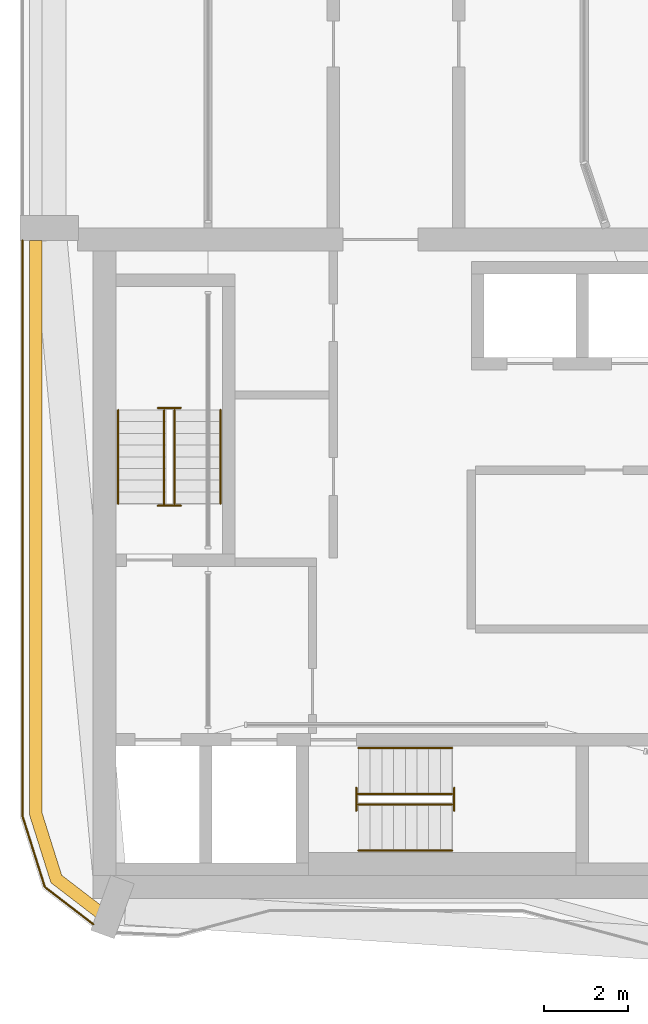
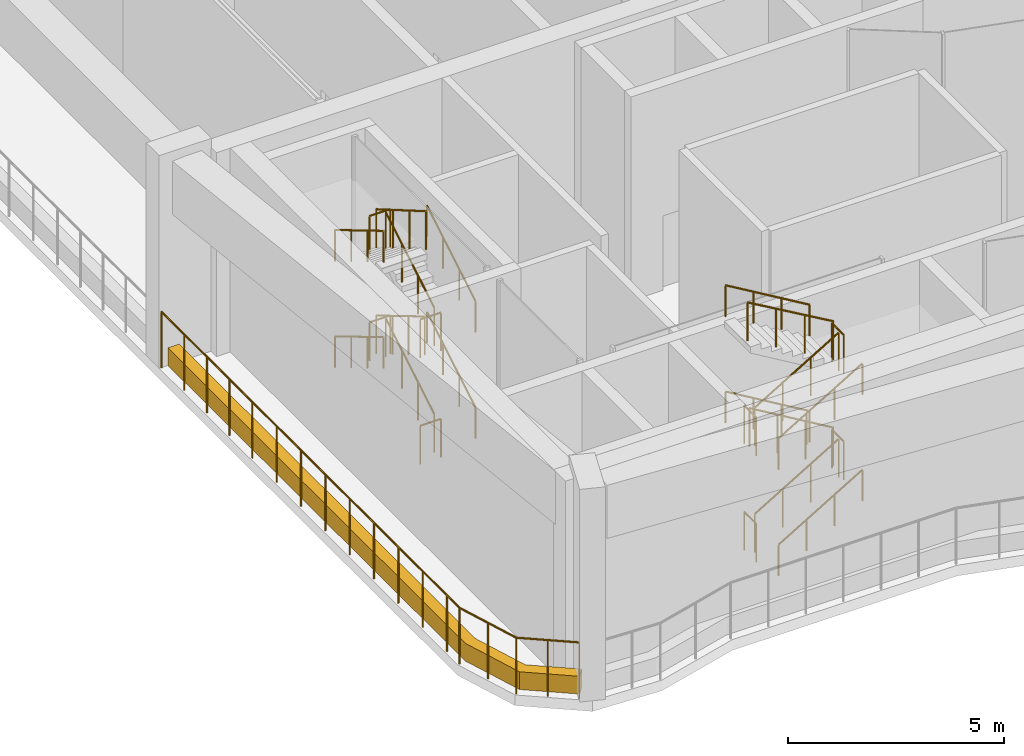
# One storey, part 14 of 17: 25 railings, 1 covering.
"""IFC4 building model written with IfcOpenShell, lengths in metres."""

from ifc_helpers import new_model, si_unit, direction, frame, origin, origin_2d, place, context, subcontext, project, spatial, polyline, circle, outline, extrude, material, type_object, element, save


model = new_model("IFC4")

# Units and contexts
model_context = context("Model", 3, precision=1e-05, world=origin(), true_north=direction((0.0, 1.0)))
body_context = subcontext(model_context, "Body", "Model", "MODEL_VIEW")
ifc_project = project(units=[si_unit("LENGTHUNIT", "METRE"), si_unit("AREAUNIT", "SQUARE_METRE"), si_unit("VOLUMEUNIT", "CUBIC_METRE"), si_unit("PLANEANGLEUNIT", "RADIAN"), si_unit("MASSUNIT", "GRAM", prefix="KILO")], contexts=[model_context])

# Site, building, storey
site_placement = place(None, origin())
site = spatial("IfcSite", under=ifc_project, at=site_placement, CompositionType="ELEMENT")
building_placement = place(site_placement, origin())
building = spatial("IfcBuilding", under=site, at=building_placement, Name="Plateau Cross Towers", CompositionType="ELEMENT")
storey_placement = place(building_placement, frame((0.0, 0.0, 184.89990234375)))
storey = spatial("IfcBuildingStorey", under=building, at=storey_placement, Name="L48", CompositionType="ELEMENT", Elevation=184.89990234375)

# Railings
ifc_material_1 = material(Name="Stainless steel and toughened glass", Category="steel")
railing_type_1 = type_object("IfcRailingType", Name="Glass balustrade guard 1600", PredefinedType="GUARDRAIL", material=ifc_material_1)
railing_1_placement = place(storey_placement, frame((0.06005859375, 17.699951171875, 0.0)))
element("IfcRailing", 1, at=railing_1_placement, inside=storey, type_object=railing_type_1, Name="Guard A0_180", PredefinedType="GUARDRAIL", context=body_context, shape_type="SweptSolid", body=[
    extrude(circle(Radius=0.02392578125, at=origin_2d()), frame((0.0, 0.0, 1.576171875), z_axis=(0.0, -1.0, 0.0), x_axis=(1.0, 0.0, 0.0)), (0.0, 0.0, 1.0), 13.781494140625),
    extrude(circle(Radius=0.02392578125, at=origin_2d()), frame((0.0, -13.781494140625, 1.576171875), z_axis=(0.300637904714, -0.953738355237, 0.0), x_axis=(0.953738355237, 0.300637904714, 0.0)), (0.0, 0.0, 1.0), 1.776123046875),
    extrude(circle(Radius=0.02392578125, at=origin_2d()), frame((0.533935546875, -15.475341796875, 1.576171875), z_axis=(0.793378517032, -0.608728616636, 0.0), x_axis=(0.608728616636, 0.793378517032, 0.0)), (0.0, 0.0, 1.0), 1.46630859375),
    extrude(circle(Radius=0.02099609375, at=origin_2d()), origin(), (0.0, 0.0, 1.0), 1.552001953125),
    extrude(circle(Radius=0.02099609375, at=origin_2d()), frame((0.0, -1.050048828125, 0.0)), (0.0, 0.0, 1.0), 1.552001953125),
    extrude(circle(Radius=0.02099609375, at=origin_2d()), frame((0.0, -2.10009765625, 0.0)), (0.0, 0.0, 1.0), 1.552001953125),
    extrude(circle(Radius=0.02099609375, at=origin_2d()), frame((0.0, -3.14990234375, 0.0)), (0.0, 0.0, 1.0), 1.552001953125),
    extrude(circle(Radius=0.02099609375, at=origin_2d()), frame((0.0, -4.199951171875, 0.0)), (0.0, 0.0, 1.0), 1.552001953125),
    extrude(circle(Radius=0.02099609375, at=origin_2d()), frame((0.0, -5.324951171875, 0.0)), (0.0, 0.0, 1.0), 1.552001953125),
    extrude(circle(Radius=0.02099609375, at=origin_2d()), frame((0.0, -6.449951171875, 0.0)), (0.0, 0.0, 1.0), 1.552001953125),
    extrude(circle(Radius=0.02099609375, at=origin_2d()), frame((0.0, -7.574951171875, 0.0)), (0.0, 0.0, 1.0), 1.552001953125),
    extrude(circle(Radius=0.02099609375, at=origin_2d()), frame((0.0, -8.699951171875, 0.0)), (0.0, 0.0, 1.0), 1.552001953125),
    extrude(circle(Radius=0.02099609375, at=origin_2d()), frame((0.0, -9.824951171875, 0.0)), (0.0, 0.0, 1.0), 1.552001953125),
    extrude(circle(Radius=0.02099609375, at=origin_2d()), frame((0.0, -10.949951171875, 0.0)), (0.0, 0.0, 1.0), 1.552001953125),
    extrude(circle(Radius=0.02099609375, at=origin_2d()), frame((0.0, -12.074951171875, 0.0)), (0.0, 0.0, 1.0), 1.552001953125),
    extrude(circle(Radius=0.02099609375, at=origin_2d()), frame((0.0, -13.199951171875, 0.0)), (0.0, 0.0, 1.0), 1.552001953125),
    extrude(circle(Radius=0.02099609375, at=origin_2d()), frame((0.0, -13.781494140625, 0.0)), (0.0, 0.0, 1.0), 1.552001953125),
    extrude(circle(Radius=0.02099609375, at=origin_2d()), frame((0.26708984375, -14.62841796875, 0.0)), (0.0, 0.0, 1.0), 1.552001953125),
    extrude(circle(Radius=0.02099609375, at=origin_2d()), frame((0.533935546875, -15.475341796875, 0.0)), (0.0, 0.0, 1.0), 1.552001953125),
    extrude(circle(Radius=0.02099609375, at=origin_2d()), frame((1.11572265625, -15.921630859375, 0.0)), (0.0, 0.0, 1.0), 1.552001953125),
    extrude(circle(Radius=0.02099609375, at=origin_2d()), frame((1.697265625, -16.367919921875, 0.0)), (0.0, 0.0, 1.0), 1.552001953125),
])
railing_type_2 = type_object("IfcRailingType", Name="RL-GUARD-1100", PredefinedType="GUARDRAIL", material=ifc_material_1)
railing_2_placement = place(storey_placement, frame((3.699951171875, 11.39990234375, 0.166748046875)))
element("IfcRailing", 2, at=railing_2_placement, inside=storey, type_object=railing_type_2, Name="L48 ST-1 stair guard 1", PredefinedType="GUARDRAIL", context=body_context, shape_type="SweptSolid", body=[
    extrude(circle(Radius=0.02392578125, at=origin_2d()), frame((0.0, 0.0, 1.076171875), z_axis=(0.0, 0.859305625298, 0.511462454469), x_axis=(-1.0, 0.0, 0.0)), (0.0, 0.0, 1.0), 2.606689453125),
    extrude(circle(Radius=0.02099609375, at=origin_2d()), origin(), (0.0, 0.0, 1.0), 1.052001953125),
    extrude(circle(Radius=0.02099609375, at=origin_2d()), frame((0.0, 0.74658203125, 0.4443359375)), (0.0, 0.0, 1.0), 1.052001953125),
    extrude(circle(Radius=0.02099609375, at=origin_2d()), frame((0.0, 1.493408203125, 0.888916015625)), (0.0, 0.0, 1.0), 1.052001953125),
    extrude(circle(Radius=0.02099609375, at=origin_2d()), frame((0.0, 2.239990234375, 1.333251953125)), (0.0, 0.0, 1.0), 1.052001953125),
])
railing_3_placement = place(storey_placement, frame((3.85009765625, 13.68994140625, 1.5)))
element("IfcRailing", 3, at=railing_3_placement, inside=storey, type_object=railing_type_2, Name="L48 ST-1 stair guard 2", PredefinedType="GUARDRAIL", context=body_context, shape_type="SweptSolid", body=[
    extrude(circle(Radius=0.02392578125, at=origin_2d()), frame((0.0, 0.0, 1.076171875), z_axis=(-1.0, 0.0, 0.0), x_axis=(0.0, -1.0, 0.0)), (0.0, 0.0, 1.0), 0.550048828125),
    extrude(circle(Radius=0.02099609375, at=origin_2d()), origin(), (0.0, 0.0, 1.0), 1.052001953125),
    extrude(circle(Radius=0.02099609375, at=origin_2d()), frame((-0.550048828125, 0.0, 0.0)), (0.0, 0.0, 1.0), 1.052001953125),
])
railing_4_placement = place(storey_placement, frame((3.449951171875, 13.639892578125, 1.666748046875)))
element("IfcRailing", 4, at=railing_4_placement, inside=storey, type_object=railing_type_2, Name="L48 ST-1 stair guard 3", PredefinedType="GUARDRAIL", context=body_context, shape_type="SweptSolid", body=[
    extrude(circle(Radius=0.02392578125, at=origin_2d()), frame((0.0, 0.0, 1.076171875), z_axis=(0.0, -0.859305625298, 0.511462454469), x_axis=(1.0, 0.0, 0.0)), (0.0, 0.0, 1.0), 2.606689453125),
    extrude(circle(Radius=0.02099609375, at=origin_2d()), origin(), (0.0, 0.0, 1.0), 1.052001953125),
    extrude(circle(Radius=0.02099609375, at=origin_2d()), frame((0.0, -0.74658203125, 0.4443359375)), (0.0, 0.0, 1.0), 1.052001953125),
    extrude(circle(Radius=0.02099609375, at=origin_2d()), frame((0.0, -1.493408203125, 0.888916015625)), (0.0, 0.0, 1.0), 1.052001953125),
    extrude(circle(Radius=0.02099609375, at=origin_2d()), frame((0.0, -2.239990234375, 1.333251953125)), (0.0, 0.0, 1.0), 1.052001953125),
])
railing_5_placement = place(storey_placement, frame((3.85009765625, 11.35009765625, 3.0)))
element("IfcRailing", 5, at=railing_5_placement, inside=storey, type_object=railing_type_2, Name="L48 ST-1 stair guard 4", PredefinedType="GUARDRAIL", context=body_context, shape_type="SweptSolid", body=[
    extrude(circle(Radius=0.02392578125, at=origin_2d()), frame((0.0, 0.0, 1.076171875), z_axis=(-1.0, 0.0, 0.0), x_axis=(0.0, -1.0, 0.0)), (0.0, 0.0, 1.0), 0.550048828125),
    extrude(circle(Radius=0.02099609375, at=origin_2d()), origin(), (0.0, 0.0, 1.0), 1.052001953125),
    extrude(circle(Radius=0.02099609375, at=origin_2d()), frame((-0.550048828125, 0.0, 0.0)), (0.0, 0.0, 1.0), 1.052001953125),
])
railing_6_placement = place(storey_placement, frame((3.699951171875, 11.39990234375, 3.166748046875)))
element("IfcRailing", 6, at=railing_6_placement, inside=storey, type_object=railing_type_2, Name="L48 ST-1 stair guard 5", PredefinedType="GUARDRAIL", context=body_context, shape_type="SweptSolid", body=[
    extrude(circle(Radius=0.02392578125, at=origin_2d()), frame((0.0, 0.0, 1.076171875), z_axis=(0.0, 0.859305625298, 0.511462454469), x_axis=(-1.0, 0.0, 0.0)), (0.0, 0.0, 1.0), 2.606689453125),
    extrude(circle(Radius=0.02099609375, at=origin_2d()), origin(), (0.0, 0.0, 1.0), 1.052001953125),
    extrude(circle(Radius=0.02099609375, at=origin_2d()), frame((0.0, 0.74658203125, 0.4443359375)), (0.0, 0.0, 1.0), 1.052001953125),
    extrude(circle(Radius=0.02099609375, at=origin_2d()), frame((0.0, 1.493408203125, 0.888916015625)), (0.0, 0.0, 1.0), 1.052001953125),
    extrude(circle(Radius=0.02099609375, at=origin_2d()), frame((0.0, 2.239990234375, 1.333251953125)), (0.0, 0.0, 1.0), 1.052001953125),
])
railing_7_placement = place(storey_placement, frame((3.85009765625, 13.68994140625, 4.5)))
element("IfcRailing", 7, at=railing_7_placement, inside=storey, type_object=railing_type_2, Name="L48 ST-1 stair guard 6", PredefinedType="GUARDRAIL", context=body_context, shape_type="SweptSolid", body=[
    extrude(circle(Radius=0.02392578125, at=origin_2d()), frame((0.0, 0.0, 1.076171875), z_axis=(-1.0, 0.0, 0.0), x_axis=(0.0, -1.0, 0.0)), (0.0, 0.0, 1.0), 0.550048828125),
    extrude(circle(Radius=0.02099609375, at=origin_2d()), origin(), (0.0, 0.0, 1.0), 1.052001953125),
    extrude(circle(Radius=0.02099609375, at=origin_2d()), frame((-0.550048828125, 0.0, 0.0)), (0.0, 0.0, 1.0), 1.052001953125),
])
railing_8_placement = place(storey_placement, frame((3.449951171875, 13.639892578125, 4.666748046875)))
element("IfcRailing", 8, at=railing_8_placement, inside=storey, type_object=railing_type_2, Name="L48 ST-1 stair guard 7", PredefinedType="GUARDRAIL", context=body_context, shape_type="SweptSolid", body=[
    extrude(circle(Radius=0.02392578125, at=origin_2d()), frame((0.0, 0.0, 1.076171875), z_axis=(0.0, -0.864182989347, 0.503177663378), x_axis=(1.0, 0.0, 0.0)), (0.0, 0.0, 1.0), 2.649658203125),
    extrude(circle(Radius=0.02099609375, at=origin_2d()), origin(), (0.0, 0.0, 1.0), 1.052001953125),
    extrude(circle(Radius=0.02099609375, at=origin_2d()), frame((0.0, -0.76318359375, 0.4443359375)), (0.0, 0.0, 1.0), 1.052001953125),
    extrude(circle(Radius=0.02099609375, at=origin_2d()), frame((0.0, -1.526611328125, 0.888916015625)), (0.0, 0.0, 1.0), 1.052001953125),
    extrude(circle(Radius=0.02099609375, at=origin_2d()), frame((0.0, -2.289794921875, 1.333251953125)), (0.0, 0.0, 1.0), 1.052001953125),
])
railing_9_placement = place(storey_placement, frame((3.85009765625, 11.35009765625, 0.0)))
element("IfcRailing", 9, at=railing_9_placement, inside=storey, type_object=railing_type_2, Name="L48 ST-1 stair guard 8", PredefinedType="GUARDRAIL", context=body_context, shape_type="SweptSolid", body=[
    extrude(circle(Radius=0.02392578125, at=origin_2d()), frame((0.0, 0.0, 1.076171875), z_axis=(-1.0, 0.0, 0.0), x_axis=(0.0, -1.0, 0.0)), (0.0, 0.0, 1.0), 0.550048828125),
    extrude(circle(Radius=0.02099609375, at=origin_2d()), origin(), (0.0, 0.0, 1.0), 1.052001953125),
    extrude(circle(Radius=0.02099609375, at=origin_2d()), frame((-0.550048828125, 0.0, 0.0)), (0.0, 0.0, 1.0), 1.052001953125),
])
railing_10_placement = place(storey_placement, frame((8.10009765625, 4.199951171875, 0.166748046875)))
element("IfcRailing", 10, at=railing_10_placement, inside=storey, type_object=railing_type_2, Name="L48 ST-2 stair guard 1", PredefinedType="GUARDRAIL", context=body_context, shape_type="SweptSolid", body=[
    extrude(circle(Radius=0.02392578125, at=origin_2d()), frame((0.0, 0.0, 1.076171875), z_axis=(0.859305625298, 0.0, 0.511462454469), x_axis=(0.0, 1.0, 0.0)), (0.0, 0.0, 1.0), 2.606689453125),
    extrude(circle(Radius=0.02099609375, at=origin_2d()), origin(), (0.0, 0.0, 1.0), 1.052001953125),
    extrude(circle(Radius=0.02099609375, at=origin_2d()), frame((0.74658203125, 0.0, 0.4443359375)), (0.0, 0.0, 1.0), 1.052001953125),
    extrude(circle(Radius=0.02099609375, at=origin_2d()), frame((1.493408203125, 0.0, 0.888916015625)), (0.0, 0.0, 1.0), 1.052001953125),
    extrude(circle(Radius=0.02099609375, at=origin_2d()), frame((2.239990234375, 0.0, 1.333251953125)), (0.0, 0.0, 1.0), 1.052001953125),
])
railing_11_placement = place(storey_placement, frame((10.389892578125, 4.050048828125, 1.5)))
element("IfcRailing", 11, at=railing_11_placement, inside=storey, type_object=railing_type_2, Name="L48 ST-2 stair guard 2", PredefinedType="GUARDRAIL", context=body_context, shape_type="SweptSolid", body=[
    extrude(circle(Radius=0.02392578125, at=origin_2d()), frame((0.0, 0.0, 1.076171875), z_axis=(0.0, 1.0, 0.0), x_axis=(-1.0, 0.0, 0.0)), (0.0, 0.0, 1.0), 0.550048828125),
    extrude(circle(Radius=0.02099609375, at=origin_2d()), origin(), (0.0, 0.0, 1.0), 1.052001953125),
    extrude(circle(Radius=0.02099609375, at=origin_2d()), frame((0.0, 0.550048828125, 0.0)), (0.0, 0.0, 1.0), 1.052001953125),
])
railing_12_placement = place(storey_placement, frame((10.340087890625, 4.449951171875, 1.666748046875)))
element("IfcRailing", 12, at=railing_12_placement, inside=storey, type_object=railing_type_2, Name="L48 ST-2 stair guard 3", PredefinedType="GUARDRAIL", context=body_context, shape_type="SweptSolid", body=[
    extrude(circle(Radius=0.02392578125, at=origin_2d()), frame((0.0, 0.0, 1.076171875), z_axis=(-0.859305625298, 0.0, 0.511462454469), x_axis=(0.0, -1.0, 0.0)), (0.0, 0.0, 1.0), 2.606689453125),
    extrude(circle(Radius=0.02099609375, at=origin_2d()), origin(), (0.0, 0.0, 1.0), 1.052001953125),
    extrude(circle(Radius=0.02099609375, at=origin_2d()), frame((-0.74658203125, 0.0, 0.4443359375)), (0.0, 0.0, 1.0), 1.052001953125),
    extrude(circle(Radius=0.02099609375, at=origin_2d()), frame((-1.493408203125, 0.0, 0.888916015625)), (0.0, 0.0, 1.0), 1.052001953125),
    extrude(circle(Radius=0.02099609375, at=origin_2d()), frame((-2.239990234375, 0.0, 1.333251953125)), (0.0, 0.0, 1.0), 1.052001953125),
])
railing_13_placement = place(storey_placement, frame((8.050048828125, 4.050048828125, 3.0)))
element("IfcRailing", 13, at=railing_13_placement, inside=storey, type_object=railing_type_2, Name="L48 ST-2 stair guard 4", PredefinedType="GUARDRAIL", context=body_context, shape_type="SweptSolid", body=[
    extrude(circle(Radius=0.02392578125, at=origin_2d()), frame((0.0, 0.0, 1.076171875), z_axis=(0.0, 1.0, 0.0), x_axis=(-1.0, 0.0, 0.0)), (0.0, 0.0, 1.0), 0.550048828125),
    extrude(circle(Radius=0.02099609375, at=origin_2d()), origin(), (0.0, 0.0, 1.0), 1.052001953125),
    extrude(circle(Radius=0.02099609375, at=origin_2d()), frame((0.0, 0.550048828125, 0.0)), (0.0, 0.0, 1.0), 1.052001953125),
])
railing_14_placement = place(storey_placement, frame((8.10009765625, 4.199951171875, 3.166748046875)))
element("IfcRailing", 14, at=railing_14_placement, inside=storey, type_object=railing_type_2, Name="L48 ST-2 stair guard 5", PredefinedType="GUARDRAIL", context=body_context, shape_type="SweptSolid", body=[
    extrude(circle(Radius=0.02392578125, at=origin_2d()), frame((0.0, 0.0, 1.076171875), z_axis=(0.859305625298, 0.0, 0.511462454469), x_axis=(0.0, 1.0, 0.0)), (0.0, 0.0, 1.0), 2.606689453125),
    extrude(circle(Radius=0.02099609375, at=origin_2d()), origin(), (0.0, 0.0, 1.0), 1.052001953125),
    extrude(circle(Radius=0.02099609375, at=origin_2d()), frame((0.74658203125, 0.0, 0.4443359375)), (0.0, 0.0, 1.0), 1.052001953125),
    extrude(circle(Radius=0.02099609375, at=origin_2d()), frame((1.493408203125, 0.0, 0.888916015625)), (0.0, 0.0, 1.0), 1.052001953125),
    extrude(circle(Radius=0.02099609375, at=origin_2d()), frame((2.239990234375, 0.0, 1.333251953125)), (0.0, 0.0, 1.0), 1.052001953125),
])
railing_15_placement = place(storey_placement, frame((10.389892578125, 4.050048828125, 4.5)))
element("IfcRailing", 15, at=railing_15_placement, inside=storey, type_object=railing_type_2, Name="L48 ST-2 stair guard 6", PredefinedType="GUARDRAIL", context=body_context, shape_type="SweptSolid", body=[
    extrude(circle(Radius=0.02392578125, at=origin_2d()), frame((0.0, 0.0, 1.076171875), z_axis=(0.0, 1.0, 0.0), x_axis=(-1.0, 0.0, 0.0)), (0.0, 0.0, 1.0), 0.550048828125),
    extrude(circle(Radius=0.02099609375, at=origin_2d()), origin(), (0.0, 0.0, 1.0), 1.052001953125),
    extrude(circle(Radius=0.02099609375, at=origin_2d()), frame((0.0, 0.550048828125, 0.0)), (0.0, 0.0, 1.0), 1.052001953125),
])
railing_16_placement = place(storey_placement, frame((10.340087890625, 4.449951171875, 4.666748046875)))
element("IfcRailing", 16, at=railing_16_placement, inside=storey, type_object=railing_type_2, Name="L48 ST-2 stair guard 7", PredefinedType="GUARDRAIL", context=body_context, shape_type="SweptSolid", body=[
    extrude(circle(Radius=0.02392578125, at=origin_2d()), frame((0.0, 0.0, 1.076171875), z_axis=(-0.864206315334, 0.0, 0.503137600004), x_axis=(0.0, -1.0, 0.0)), (0.0, 0.0, 1.0), 2.64990234375),
    extrude(circle(Radius=0.02099609375, at=origin_2d()), origin(), (0.0, 0.0, 1.0), 1.052001953125),
    extrude(circle(Radius=0.02099609375, at=origin_2d()), frame((-0.763427734375, 0.0, 0.4443359375)), (0.0, 0.0, 1.0), 1.052001953125),
    extrude(circle(Radius=0.02099609375, at=origin_2d()), frame((-1.526611328125, 0.0, 0.888916015625)), (0.0, 0.0, 1.0), 1.052001953125),
    extrude(circle(Radius=0.02099609375, at=origin_2d()), frame((-2.2900390625, 0.0, 1.333251953125)), (0.0, 0.0, 1.0), 1.052001953125),
])
railing_17_placement = place(storey_placement, frame((8.050048828125, 4.050048828125, 0.0)))
element("IfcRailing", 17, at=railing_17_placement, inside=storey, type_object=railing_type_2, Name="L48 ST-2 stair guard 8", PredefinedType="GUARDRAIL", context=body_context, shape_type="SweptSolid", body=[
    extrude(circle(Radius=0.02392578125, at=origin_2d()), frame((0.0, 0.0, 1.076171875), z_axis=(0.0, 1.0, 0.0), x_axis=(-1.0, 0.0, 0.0)), (0.0, 0.0, 1.0), 0.550048828125),
    extrude(circle(Radius=0.02099609375, at=origin_2d()), origin(), (0.0, 0.0, 1.0), 1.052001953125),
    extrude(circle(Radius=0.02099609375, at=origin_2d()), frame((0.0, 0.550048828125, 0.0)), (0.0, 0.0, 1.0), 1.052001953125),
])
ifc_material_2 = material(Name="Black anodised aluminium", Category="aluminium")
railing_type_3 = type_object("IfcRailingType", Name="RL-HANDRAIL-900", PredefinedType="HANDRAIL", material=ifc_material_2)
railing_18_placement = place(storey_placement, frame((4.800048828125, 11.39990234375, 0.166748046875)))
element("IfcRailing", 18, at=railing_18_placement, inside=storey, type_object=railing_type_3, Name="L48 ST-1 stair handrail 1", PredefinedType="HANDRAIL", context=body_context, shape_type="SweptSolid", body=[
    extrude(circle(Radius=0.02392578125, at=origin_2d()), frame((0.0, 0.0, 0.8759765625), z_axis=(0.0, 0.859305625298, 0.511462454469), x_axis=(-1.0, 0.0, 0.0)), (0.0, 0.0, 1.0), 2.606689453125),
    extrude(circle(Radius=0.02099609375, at=origin_2d()), origin(), (0.0, 0.0, 1.0), 0.851806640625),
    extrude(circle(Radius=0.02099609375, at=origin_2d()), frame((0.0, 0.74658203125, 0.4443359375)), (0.0, 0.0, 1.0), 0.851806640625),
    extrude(circle(Radius=0.02099609375, at=origin_2d()), frame((0.0, 1.493408203125, 0.888916015625)), (0.0, 0.0, 1.0), 0.851806640625),
    extrude(circle(Radius=0.02099609375, at=origin_2d()), frame((0.0, 2.239990234375, 1.333251953125)), (0.0, 0.0, 1.0), 0.851806640625),
])
railing_19_placement = place(storey_placement, frame((2.35009765625, 13.639892578125, 1.666748046875)))
element("IfcRailing", 19, at=railing_19_placement, inside=storey, type_object=railing_type_3, Name="L48 ST-1 stair handrail 2", PredefinedType="HANDRAIL", context=body_context, shape_type="SweptSolid", body=[
    extrude(circle(Radius=0.02392578125, at=origin_2d()), frame((0.0, 0.0, 0.8759765625), z_axis=(0.0, -0.859305625298, 0.511462454469), x_axis=(1.0, 0.0, 0.0)), (0.0, 0.0, 1.0), 2.606689453125),
    extrude(circle(Radius=0.02099609375, at=origin_2d()), origin(), (0.0, 0.0, 1.0), 0.851806640625),
    extrude(circle(Radius=0.02099609375, at=origin_2d()), frame((0.0, -0.74658203125, 0.4443359375)), (0.0, 0.0, 1.0), 0.851806640625),
    extrude(circle(Radius=0.02099609375, at=origin_2d()), frame((0.0, -1.493408203125, 0.888916015625)), (0.0, 0.0, 1.0), 0.851806640625),
    extrude(circle(Radius=0.02099609375, at=origin_2d()), frame((0.0, -2.239990234375, 1.333251953125)), (0.0, 0.0, 1.0), 0.851806640625),
])
railing_20_placement = place(storey_placement, frame((4.800048828125, 11.39990234375, 3.166748046875)))
element("IfcRailing", 20, at=railing_20_placement, inside=storey, type_object=railing_type_3, Name="L48 ST-1 stair handrail 3", PredefinedType="HANDRAIL", context=body_context, shape_type="SweptSolid", body=[
    extrude(circle(Radius=0.02392578125, at=origin_2d()), frame((0.0, 0.0, 0.8759765625), z_axis=(0.0, 0.859305625298, 0.511462454469), x_axis=(-1.0, 0.0, 0.0)), (0.0, 0.0, 1.0), 2.606689453125),
    extrude(circle(Radius=0.02099609375, at=origin_2d()), origin(), (0.0, 0.0, 1.0), 0.851806640625),
    extrude(circle(Radius=0.02099609375, at=origin_2d()), frame((0.0, 0.74658203125, 0.4443359375)), (0.0, 0.0, 1.0), 0.851806640625),
    extrude(circle(Radius=0.02099609375, at=origin_2d()), frame((0.0, 1.493408203125, 0.888916015625)), (0.0, 0.0, 1.0), 0.851806640625),
    extrude(circle(Radius=0.02099609375, at=origin_2d()), frame((0.0, 2.239990234375, 1.333251953125)), (0.0, 0.0, 1.0), 0.851806640625),
])
railing_21_placement = place(storey_placement, frame((2.35009765625, 13.639892578125, 4.666748046875)))
element("IfcRailing", 21, at=railing_21_placement, inside=storey, type_object=railing_type_3, Name="L48 ST-1 stair handrail 4", PredefinedType="HANDRAIL", context=body_context, shape_type="SweptSolid", body=[
    extrude(circle(Radius=0.02392578125, at=origin_2d()), frame((0.0, 0.0, 0.8759765625), z_axis=(0.0, -0.859305625298, 0.511462454469), x_axis=(1.0, 0.0, 0.0)), (0.0, 0.0, 1.0), 2.606689453125),
    extrude(circle(Radius=0.02099609375, at=origin_2d()), origin(), (0.0, 0.0, 1.0), 0.851806640625),
    extrude(circle(Radius=0.02099609375, at=origin_2d()), frame((0.0, -0.74658203125, 0.4443359375)), (0.0, 0.0, 1.0), 0.851806640625),
    extrude(circle(Radius=0.02099609375, at=origin_2d()), frame((0.0, -1.493408203125, 0.888916015625)), (0.0, 0.0, 1.0), 0.851806640625),
    extrude(circle(Radius=0.02099609375, at=origin_2d()), frame((0.0, -2.239990234375, 1.333251953125)), (0.0, 0.0, 1.0), 0.851806640625),
])
railing_22_placement = place(storey_placement, frame((8.10009765625, 3.10009765625, 0.166748046875)))
element("IfcRailing", 22, at=railing_22_placement, inside=storey, type_object=railing_type_3, Name="L48 ST-2 stair handrail 1", PredefinedType="HANDRAIL", context=body_context, shape_type="SweptSolid", body=[
    extrude(circle(Radius=0.02392578125, at=origin_2d()), frame((0.0, 0.0, 0.8759765625), z_axis=(0.859305625298, 0.0, 0.511462454469), x_axis=(0.0, 1.0, 0.0)), (0.0, 0.0, 1.0), 2.606689453125),
    extrude(circle(Radius=0.02099609375, at=origin_2d()), origin(), (0.0, 0.0, 1.0), 0.851806640625),
    extrude(circle(Radius=0.02099609375, at=origin_2d()), frame((0.74658203125, 0.0, 0.4443359375)), (0.0, 0.0, 1.0), 0.851806640625),
    extrude(circle(Radius=0.02099609375, at=origin_2d()), frame((1.493408203125, 0.0, 0.888916015625)), (0.0, 0.0, 1.0), 0.851806640625),
    extrude(circle(Radius=0.02099609375, at=origin_2d()), frame((2.239990234375, 0.0, 1.333251953125)), (0.0, 0.0, 1.0), 0.851806640625),
])
railing_23_placement = place(storey_placement, frame((10.340087890625, 5.550048828125, 1.666748046875)))
element("IfcRailing", 23, at=railing_23_placement, inside=storey, type_object=railing_type_3, Name="L48 ST-2 stair handrail 2", PredefinedType="HANDRAIL", context=body_context, shape_type="SweptSolid", body=[
    extrude(circle(Radius=0.02392578125, at=origin_2d()), frame((0.0, 0.0, 0.8759765625), z_axis=(-0.859305625298, 0.0, 0.511462454469), x_axis=(0.0, -1.0, 0.0)), (0.0, 0.0, 1.0), 2.606689453125),
    extrude(circle(Radius=0.02099609375, at=origin_2d()), origin(), (0.0, 0.0, 1.0), 0.851806640625),
    extrude(circle(Radius=0.02099609375, at=origin_2d()), frame((-0.74658203125, 0.0, 0.4443359375)), (0.0, 0.0, 1.0), 0.851806640625),
    extrude(circle(Radius=0.02099609375, at=origin_2d()), frame((-1.493408203125, 0.0, 0.888916015625)), (0.0, 0.0, 1.0), 0.851806640625),
    extrude(circle(Radius=0.02099609375, at=origin_2d()), frame((-2.239990234375, 0.0, 1.333251953125)), (0.0, 0.0, 1.0), 0.851806640625),
])
railing_24_placement = place(storey_placement, frame((8.10009765625, 3.10009765625, 3.166748046875)))
element("IfcRailing", 24, at=railing_24_placement, inside=storey, type_object=railing_type_3, Name="L48 ST-2 stair handrail 3", PredefinedType="HANDRAIL", context=body_context, shape_type="SweptSolid", body=[
    extrude(circle(Radius=0.02392578125, at=origin_2d()), frame((0.0, 0.0, 0.8759765625), z_axis=(0.859305625298, 0.0, 0.511462454469), x_axis=(0.0, 1.0, 0.0)), (0.0, 0.0, 1.0), 2.606689453125),
    extrude(circle(Radius=0.02099609375, at=origin_2d()), origin(), (0.0, 0.0, 1.0), 0.851806640625),
    extrude(circle(Radius=0.02099609375, at=origin_2d()), frame((0.74658203125, 0.0, 0.4443359375)), (0.0, 0.0, 1.0), 0.851806640625),
    extrude(circle(Radius=0.02099609375, at=origin_2d()), frame((1.493408203125, 0.0, 0.888916015625)), (0.0, 0.0, 1.0), 0.851806640625),
    extrude(circle(Radius=0.02099609375, at=origin_2d()), frame((2.239990234375, 0.0, 1.333251953125)), (0.0, 0.0, 1.0), 0.851806640625),
])
railing_25_placement = place(storey_placement, frame((10.340087890625, 5.550048828125, 4.666748046875)))
element("IfcRailing", 25, at=railing_25_placement, inside=storey, type_object=railing_type_3, Name="L48 ST-2 stair handrail 4", PredefinedType="HANDRAIL", context=body_context, shape_type="SweptSolid", body=[
    extrude(circle(Radius=0.02392578125, at=origin_2d()), frame((0.0, 0.0, 0.8759765625), z_axis=(-0.859305625298, 0.0, 0.511462454469), x_axis=(0.0, -1.0, 0.0)), (0.0, 0.0, 1.0), 2.606689453125),
    extrude(circle(Radius=0.02099609375, at=origin_2d()), origin(), (0.0, 0.0, 1.0), 0.851806640625),
    extrude(circle(Radius=0.02099609375, at=origin_2d()), frame((-0.74658203125, 0.0, 0.4443359375)), (0.0, 0.0, 1.0), 0.851806640625),
    extrude(circle(Radius=0.02099609375, at=origin_2d()), frame((-1.493408203125, 0.0, 0.888916015625)), (0.0, 0.0, 1.0), 0.851806640625),
    extrude(circle(Radius=0.02099609375, at=origin_2d()), frame((-2.239990234375, 0.0, 1.333251953125)), (0.0, 0.0, 1.0), 0.851806640625),
])

# Covering
ifc_material_3 = material(Name="Light precast concrete cladding C40/50", Category="concrete")
covering_type = type_object("IfcCoveringType", Name="Sill kerb cladding 300x500", PredefinedType="CLADDING", material=ifc_material_3)
covering_placement = place(storey_placement, origin())
element("IfcCovering", 26, at=covering_placement, inside=storey, type_object=covering_type, Name="Sill kerb 8", PredefinedType="CLADDING", context=body_context, shape_type="SweptSolid", body=[
    extrude(outline(polyline([(0.530029296875, 3.99072265625), (0.997802734375, 2.50732421875), (2.04345703125, 1.704833984375), (1.86083984375, 1.466796875), (0.739990234375, 2.326904296875), (0.22998046875, 3.944580078125), (0.22998046875, 17.699951171875), (0.530029296875, 17.699951171875), (0.530029296875, 3.99072265625)])), origin(), (0.0, 0.0, 1.0), 0.5),
])

save(model, "model.ifc")
